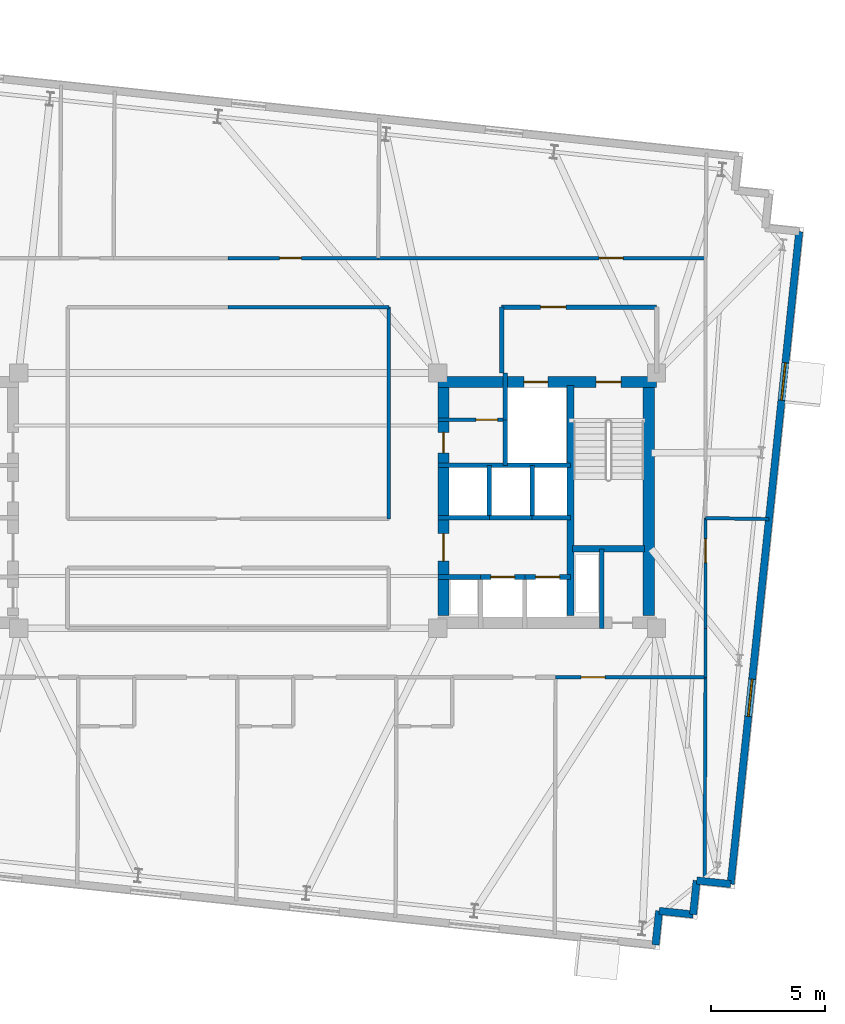
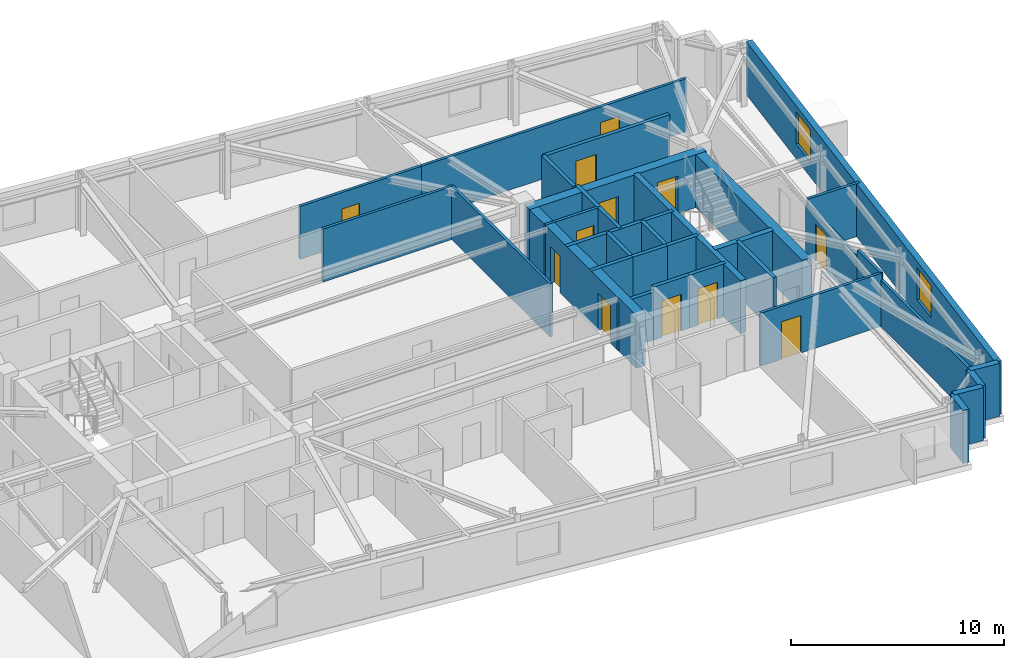
# One storey, part 8 of 11: 34 walls, 12 doors, 2 windows, 14 openings.
"""IFC4 building model written with IfcOpenShell, lengths in metres."""

from ifc_helpers import new_model, si_unit, direction, frame, frame_2d, origin, place, context, subcontext, project, spatial, rectangle, extrude, material, layer, layer_set, type_object, element, fill, save


model = new_model("IFC4")

# Units and contexts
model_context = context("Model", 3, precision=1e-05, world=origin(), true_north=direction((0.0, 1.0)))
body_context = subcontext(model_context, "Body", "Model", "MODEL_VIEW")
ifc_project = project(units=[si_unit("LENGTHUNIT", "METRE"), si_unit("AREAUNIT", "SQUARE_METRE"), si_unit("VOLUMEUNIT", "CUBIC_METRE"), si_unit("PLANEANGLEUNIT", "RADIAN"), si_unit("MASSUNIT", "GRAM", prefix="KILO")], contexts=[model_context])

# Site, building, storey
site_placement = place(None, origin())
site = spatial("IfcSite", under=ifc_project, at=site_placement, CompositionType="ELEMENT")
building_placement = place(site_placement, origin())
building = spatial("IfcBuilding", under=site, at=building_placement, Name="Qobustan Lattice House", CompositionType="ELEMENT")
storey_placement = place(building_placement, frame((0.0, 0.0, 213.14990234375)))
storey = spatial("IfcBuildingStorey", under=building, at=storey_placement, Name="L60", CompositionType="ELEMENT", Elevation=213.14990234375)

# Wall, openings, doors
ifc_material_1 = material(Name="Concrete C50/60", Category="concrete")
ifc_layer_1 = layer(ifc_material_1, 0.5)
ifc_layer_set_1 = layer_set([ifc_layer_1], Name="Concrete C50/60")
wall_type_1 = type_object("IfcWallType", Name="WAL-CORE-500", PredefinedType="SHEAR", material=ifc_layer_set_1)
wall_1_placement = place(storey_placement, frame((9.199951171875, 5.2099609375, 0.0), z_axis=(0.0, 0.0, 1.0), x_axis=(1.0, 0.0, 0.0)))
wall_1 = element("IfcWall", 1, at=wall_1_placement, inside=storey, type_object=wall_type_1, Name="L60 split-core shear wall CE-N", PredefinedType="SHEAR", context=body_context, shape_type="SweptSolid", body=[
    extrude(rectangle(XDim=9.60009765625, YDim=0.5, at=frame_2d((4.800048828125, 0.0))), origin(), (0.0, 0.0, 1.0), 3.0400390625),
])
opening_1_placement = place(wall_1_placement, frame((6.949951171875, 0.0, 0.0)))
opening_1 = element("IfcOpeningElement", 2, at=opening_1_placement, cuts=wall_1, Name="Opening SD-01", PredefinedType="OPENING", context=body_context, shape_type="SweptSolid", body=[
    extrude(rectangle(XDim=1.10009765625, YDim=2.14990234375, at=frame_2d((0.550048828125, 1.074951171875))), frame((0.0, 0.260009765625, 0.0), z_axis=(0.0, -1.0, 0.0), x_axis=(1.0, 0.0, 0.0)), (0.0, 0.0, 1.0), 0.52001953125),
])
opening_2_placement = place(wall_1_placement, frame((3.77490234375, 0.0, 0.0)))
opening_2 = element("IfcOpeningElement", 3, at=opening_2_placement, cuts=wall_1, Name="Opening LD-01", PredefinedType="OPENING", context=body_context, shape_type="SweptSolid", body=[
    extrude(rectangle(XDim=1.050048828125, YDim=2.10009765625, at=frame_2d((0.52490234375, 1.050048828125))), frame((0.0, 0.260009765625, 0.0), z_axis=(0.0, -1.0, 0.0), x_axis=(1.0, 0.0, 0.0)), (0.0, 0.0, 1.0), 0.52001953125),
])
ifc_material_2 = material(Name="Persian walnut timber and steel frame door", Category="steel")
door_type_1 = type_object("IfcDoorType", Name="DOR-LIFT-LD-1050x2100", OperationType="NOTDEFINED", PredefinedType="DOOR", material=ifc_material_2)
door_1_placement = place(opening_2_placement, origin())
door_1 = element("IfcDoor", 4, at=door_1_placement, inside=storey, type_object=door_type_1, Name="L60 firefighting lift FF-E landing door", OperationType="DOUBLE_DOOR_SLIDING", OverallHeight=2.10009765625, OverallWidth=1.050048828125, PredefinedType="DOOR", context=body_context, shape_type="SweptSolid", body=[
    extrude(rectangle(XDim=1.050048828125, YDim=2.10009765625, at=frame_2d((0.52490234375, 1.050048828125))), frame((0.0, 0.02490234375, 0.0), z_axis=(0.0, -1.0, 0.0), x_axis=(1.0, 0.0, 0.0)), (0.0, 0.0, 1.0), 0.050048828125),
])
fill(opening_2, door_1)
ifc_material_3 = material(Name="Persian walnut timber and steel frame door", Category="steel")
door_type_2 = type_object("IfcDoorType", Name="DOR-STAIR-FD-1100x2150", OperationType="NOTDEFINED", PredefinedType="DOOR", material=ifc_material_3)
door_2_placement = place(opening_1_placement, origin())
door_2 = element("IfcDoor", 5, at=door_2_placement, inside=storey, type_object=door_type_2, Name="L60 exit stair ST-E1 fire door", OperationType="SINGLE_SWING_LEFT", OverallHeight=2.14990234375, OverallWidth=1.10009765625, PredefinedType="DOOR", context=body_context, shape_type="SweptSolid", body=[
    extrude(rectangle(XDim=1.10009765625, YDim=2.14990234375, at=frame_2d((0.550048828125, 1.074951171875))), frame((0.0, 0.02490234375, 0.0), z_axis=(0.0, -1.0, 0.0), x_axis=(1.0, 0.0, 0.0)), (0.0, 0.0, 1.0), 0.050048828125),
])
fill(opening_1, door_2)

wall_2_placement = place(storey_placement, frame((9.449951171875, -5.050048828125, 0.0), z_axis=(0.0, 0.0, 1.0), x_axis=(0.0, 1.0, 0.0)))
wall_2 = element("IfcWall", 6, at=wall_2_placement, inside=storey, type_object=wall_type_1, Name="L60 split-core shear wall CE-W", PredefinedType="SHEAR", context=body_context, shape_type="SweptSolid", body=[
    extrude(rectangle(XDim=10.10009765625, YDim=0.5, at=frame_2d((5.050048828125, 0.0))), origin(), (0.0, 0.0, 1.0), 3.0400390625),
])
opening_3_placement = place(wall_2_placement, frame((7.14990234375, 0.0, 0.0)))
opening_3 = element("IfcOpeningElement", 7, at=opening_3_placement, cuts=wall_2, Name="Opening RD-01", PredefinedType="OPENING", context=body_context, shape_type="SweptSolid", body=[
    extrude(rectangle(XDim=0.89990234375, YDim=2.10009765625, at=frame_2d((0.449951171875, 1.050048828125))), frame((0.0, 0.260009765625, 0.0), z_axis=(0.0, -1.0, 0.0), x_axis=(1.0, 0.0, 0.0)), (0.0, 0.0, 1.0), 0.52001953125),
])
opening_4_placement = place(wall_2_placement, frame((2.39990234375, 0.0, 0.0)))
opening_4 = element("IfcOpeningElement", 8, at=opening_4_placement, cuts=wall_2, Name="Opening FD-01", PredefinedType="OPENING", context=body_context, shape_type="SweptSolid", body=[
    extrude(rectangle(XDim=1.199951171875, YDim=2.14990234375, at=frame_2d((0.60009765625, 1.074951171875))), frame((0.0, 0.260009765625, 0.0), z_axis=(0.0, -1.0, 0.0), x_axis=(1.0, 0.0, 0.0)), (0.0, 0.0, 1.0), 0.52001953125),
])
ifc_material_4 = material(Name="Persian walnut timber and steel frame door", Category="steel")
door_type_3 = type_object("IfcDoorType", Name="DOR-LOBBY-FD-1200x2150", OperationType="NOTDEFINED", PredefinedType="DOOR", material=ifc_material_4)
door_3_placement = place(opening_4_placement, origin())
door_3 = element("IfcDoor", 9, at=door_3_placement, inside=storey, type_object=door_type_3, Name="L60 East passenger lift lobby fire door", OperationType="SINGLE_SWING_LEFT", OverallHeight=2.14990234375, OverallWidth=1.199951171875, PredefinedType="DOOR", context=body_context, shape_type="SweptSolid", body=[
    extrude(rectangle(XDim=1.199951171875, YDim=2.14990234375, at=frame_2d((0.60009765625, 1.074951171875))), frame((0.0, 0.02490234375, 0.0), z_axis=(0.0, -1.0, 0.0), x_axis=(1.0, 0.0, 0.0)), (0.0, 0.0, 1.0), 0.050048828125),
])
fill(opening_4, door_3)
ifc_material_5 = material(Name="Persian walnut timber and steel frame door", Category="steel")
door_type_4 = type_object("IfcDoorType", Name="DOR-RISER-FD-900x2100", OperationType="NOTDEFINED", PredefinedType="DOOR", material=ifc_material_5)
door_4_placement = place(opening_3_placement, origin())
door_4 = element("IfcDoor", 10, at=door_4_placement, inside=storey, type_object=door_type_4, Name="L60 Housekeeping utility foyer fire door", OperationType="SINGLE_SWING_RIGHT", OverallHeight=2.10009765625, OverallWidth=0.89990234375, PredefinedType="DOOR", context=body_context, shape_type="SweptSolid", body=[
    extrude(rectangle(XDim=0.89990234375, YDim=2.10009765625, at=frame_2d((0.449951171875, 1.050048828125))), frame((0.0, 0.02490234375, 0.0), z_axis=(0.0, -1.0, 0.0), x_axis=(1.0, 0.0, 0.0)), (0.0, 0.0, 1.0), 0.050048828125),
])
fill(opening_3, door_4)

# Walls
wall_3_placement = place(storey_placement, frame((18.4599609375, -5.050048828125, 0.0), z_axis=(0.0, 0.0, 1.0), x_axis=(0.0, 1.0, 0.0)))
element("IfcWall", 11, at=wall_3_placement, inside=storey, type_object=wall_type_1, Name="L60 split-core shear wall CE-E", PredefinedType="SHEAR", context=body_context, shape_type="SweptSolid", body=[
    extrude(rectangle(XDim=10.10009765625, YDim=0.5, at=frame_2d((5.050048828125, 0.0))), origin(), (0.0, 0.0, 1.0), 3.0400390625),
])
ifc_material_6 = material(Name="Concrete C50/60", Category="concrete")
ifc_layer_2 = layer(ifc_material_6, 0.280029296875)
ifc_layer_set_2 = layer_set([ifc_layer_2], Name="Concrete C50/60")
wall_type_2 = type_object("IfcWallType", Name="WAL-CORE-SPINE-280", PredefinedType="SHEAR", material=ifc_layer_set_2)
wall_4_placement = place(storey_placement, frame((15.02001953125, -5.050048828125, 0.0), z_axis=(0.0, 0.0, 1.0), x_axis=(0.0, 1.0, 0.0)))
element("IfcWall", 12, at=wall_4_placement, inside=storey, type_object=wall_type_2, Name="L60 split-core shear wall CE-M", PredefinedType="SHEAR", context=body_context, shape_type="SweptSolid", body=[
    extrude(rectangle(XDim=10.10009765625, YDim=0.300048828125, at=frame_2d((5.050048828125, 0.0))), origin(), (0.0, 0.0, 1.0), 3.0400390625),
])
wall_5_placement = place(storey_placement, frame((15.10009765625, -2.110107421875, 0.0), z_axis=(0.0, 0.0, 1.0), x_axis=(1.0, 0.0, 0.0)))
element("IfcWall", 13, at=wall_5_placement, inside=storey, type_object=wall_type_2, Name="L60 split-core shear wall CE-ST", PredefinedType="SHEAR", context=body_context, shape_type="SweptSolid", body=[
    extrude(rectangle(XDim=3.179931640625, YDim=0.300048828125, at=frame_2d((1.58984375, 0.0))), origin(), (0.0, 0.0, 1.0), 3.0400390625),
])

# Wall, openings, windows
ifc_material_7 = material(Name="Precast concrete C40/50", Category="concrete")
ifc_layer_3 = layer(ifc_material_7, 0.320068359375)
ifc_layer_set_3 = layer_set([ifc_layer_3], Name="Precast concrete C40/50")
wall_type_3 = type_object("IfcWallType", Name="WAL-EXT-STONE-320", PredefinedType="SOLIDWALL", material=ifc_layer_set_3)
wall_6_placement = place(storey_placement, frame((25.063232421875, 11.813720703125, 0.0), z_axis=(0.0, 0.0, 1.0), x_axis=(-0.104523275986, -0.99452244056, 0.0)))
wall_6 = element("IfcWall", 14, at=wall_6_placement, inside=storey, type_object=wall_type_3, Name="L60 exterior limestone-clad wall 15", PredefinedType="SOLIDWALL", context=body_context, shape_type="SweptSolid", body=[
    extrude(rectangle(XDim=28.7998046875, YDim=0.320068359375, at=frame_2d((14.39990234375, 0.0))), origin(), (0.0, 0.0, 1.0), 3.0400390625),
])
opening_5_placement = place(wall_6_placement, frame((5.79345703125, 0.0, 0.85009765625)))
opening_5 = element("IfcOpeningElement", 15, at=opening_5_placement, cuts=wall_6, Name="Opening WN-09", PredefinedType="OPENING", context=body_context, shape_type="SweptSolid", body=[
    extrude(rectangle(XDim=1.64990234375, YDim=1.85009765625, at=frame_2d((0.824951171875, 0.925048828125))), frame((0.0, 0.169921875, 0.0), z_axis=(0.0, -1.0, 0.0), x_axis=(1.0, 0.0, 0.0)), (0.0, 0.0, 1.0), 0.340087890625),
])
opening_6_placement = place(wall_6_placement, frame((19.752197265625, 0.0, 0.85009765625)))
opening_6 = element("IfcOpeningElement", 16, at=opening_6_placement, cuts=wall_6, Name="Opening WN-09", PredefinedType="OPENING", context=body_context, shape_type="SweptSolid", body=[
    extrude(rectangle(XDim=1.64990234375, YDim=1.85009765625, at=frame_2d((0.824951171875, 0.925048828125))), frame((0.0, 0.169921875, 0.0), z_axis=(0.0, -1.0, 0.0), x_axis=(1.0, 0.0, 0.0)), (0.0, 0.0, 1.0), 0.340087890625),
])
ifc_material_8 = material(Name="Double-glazed low-E aluminium window", Category="aluminium")
window_type = type_object("IfcWindowType", Name="WIN-STU-1650x1850", PartitioningType="SINGLE_PANEL", PredefinedType="WINDOW", material=ifc_material_8)
window_1_placement = place(opening_5_placement, origin())
window_1 = element("IfcWindow", 17, at=window_1_placement, inside=storey, type_object=window_type, Name="L60 Collaborative tutorial room window", OverallHeight=1.85009765625, OverallWidth=1.64990234375, PartitioningType="SINGLE_PANEL", PredefinedType="WINDOW", context=body_context, shape_type="SweptSolid", body=[
    extrude(rectangle(XDim=1.64990234375, YDim=1.85009765625, at=frame_2d((0.824951171875, 0.925048828125))), frame((0.0, 0.030029296875, 0.0), z_axis=(0.0, -1.0, 0.0), x_axis=(1.0, 0.0, 0.0)), (0.0, 0.0, 1.0), 0.06005859375),
])
fill(opening_5, window_1)
window_2_placement = place(opening_6_placement, origin())
window_2 = element("IfcWindow", 18, at=window_2_placement, inside=storey, type_object=window_type, Name="L60 Fellows reading room window", OverallHeight=1.85009765625, OverallWidth=1.64990234375, PartitioningType="SINGLE_PANEL", PredefinedType="WINDOW", context=body_context, shape_type="SweptSolid", body=[
    extrude(rectangle(XDim=1.64990234375, YDim=1.85009765625, at=frame_2d((0.824951171875, 0.925048828125))), frame((0.0, 0.030029296875, 0.0), z_axis=(0.0, -1.0, 0.0), x_axis=(1.0, 0.0, 0.0)), (0.0, 0.0, 1.0), 0.06005859375),
])
fill(opening_6, window_2)

# Walls
wall_7_placement = place(storey_placement, frame((22.052978515625, -16.828369140625, 0.0), z_axis=(0.0, 0.0, 1.0), x_axis=(-0.994526834051, 0.104481464157, 0.0)))
element("IfcWall", 19, at=wall_7_placement, inside=storey, type_object=wall_type_3, Name="L60 exterior limestone-clad wall 16", PredefinedType="SOLIDWALL", context=body_context, shape_type="SweptSolid", body=[
    extrude(rectangle(XDim=1.500244140625, YDim=0.320068359375, at=frame_2d((0.75, 0.0))), origin(), (0.0, 0.0, 1.0), 3.0400390625),
])
for number, where, z_axis, x_axis, name in (
    (20, (20.56103515625, -16.671630859375, 0.0), (0.0, 0.0, 1.0), (-0.104498377516, -0.994525057048, 0.0), "L60 exterior limestone-clad wall 17"),
    (21, (20.404296875, -18.163330078125, 0.0), (0.0, 0.0, 1.0), (-0.994525057048, 0.104498377516, 0.0), "L60 exterior limestone-clad wall 18"),
    (22, (18.91259765625, -18.006591796875, 0.0), (0.0, 0.0, 1.0), (-0.104498377516, -0.994525057048, 0.0), "L60 exterior limestone-clad wall 19"),
):
    element("IfcWall", number, at=place(storey_placement, frame(where, z_axis=z_axis, x_axis=x_axis)), inside=storey, type_object=wall_type_3, Name=name, PredefinedType="SOLIDWALL", context=body_context, shape_type="SweptSolid", body=[
        extrude(rectangle(XDim=1.5, YDim=0.320068359375, at=frame_2d((0.75, 0.0))), origin(), (0.0, 0.0, 1.0), 3.0400390625),
    ])

# Wall, opening, door
ifc_material_9 = material(Name="Acoustic twin-stud gypsum partition", Category="gypsum")
ifc_layer_4 = layer(ifc_material_9, 0.14990234375)
ifc_layer_set_4 = layer_set([ifc_layer_4], Name="Acoustic twin-stud gypsum partition")
wall_type_4 = type_object("IfcWallType", Name="WAL-PART-150", PredefinedType="PARTITIONING", material=ifc_layer_set_4)
wall_8_placement = place(storey_placement, frame((12.14990234375, 3.550048828125, 0.0), z_axis=(0.0, 0.0, 1.0), x_axis=(-1.0, 0.0, 0.0)))
wall_8 = element("IfcWall", 23, at=wall_8_placement, inside=storey, type_object=wall_type_4, Name="L60 interior partition 21", PredefinedType="PARTITIONING", context=body_context, shape_type="SweptSolid", body=[
    extrude(rectangle(XDim=2.949951171875, YDim=0.14990234375, at=frame_2d((1.47509765625, 0.0))), origin(), (0.0, 0.0, 1.0), 3.0400390625),
])
opening_7_placement = place(wall_8_placement, frame((0.324951171875, 0.0, 0.0)))
opening_7 = element("IfcOpeningElement", 24, at=opening_7_placement, cuts=wall_8, Name="Opening ID-01", PredefinedType="OPENING", context=body_context, shape_type="SweptSolid", body=[
    extrude(rectangle(XDim=0.949951171875, YDim=2.10009765625, at=frame_2d((0.47509765625, 1.050048828125))), frame((0.0, 0.0849609375, 0.0), z_axis=(0.0, -1.0, 0.0), x_axis=(1.0, 0.0, 0.0)), (0.0, 0.0, 1.0), 0.169921875),
])
ifc_material_10 = material(Name="Persian walnut timber and steel frame door", Category="steel")
door_type_5 = type_object("IfcDoorType", Name="DOR-ROOM-950x2100", OperationType="NOTDEFINED", PredefinedType="DOOR", material=ifc_material_10)
door_5_placement = place(opening_7_placement, origin())
door_5 = element("IfcDoor", 25, at=door_5_placement, inside=storey, type_object=door_type_5, Name="L60 Housekeeping utility foyer to Cleaner cupboard door", OperationType="SINGLE_SWING_LEFT", OverallHeight=2.10009765625, OverallWidth=0.949951171875, PredefinedType="DOOR", context=body_context, shape_type="SweptSolid", body=[
    extrude(rectangle(XDim=0.949951171875, YDim=2.10009765625, at=frame_2d((0.47509765625, 1.050048828125))), frame((0.0, 0.02490234375, 0.0), z_axis=(0.0, -1.0, 0.0), x_axis=(1.0, 0.0, 0.0)), (0.0, 0.0, 1.0), 0.050048828125),
])
fill(opening_7, door_5)

wall_9_placement = place(storey_placement, frame((0.0, 10.64990234375, 0.0), z_axis=(0.0, 0.0, 1.0), x_axis=(1.0, 0.0, 0.0)))
wall_9 = element("IfcWall", 26, at=wall_9_placement, inside=storey, type_object=wall_type_4, Name="L60 interior partition 41", PredefinedType="PARTITIONING", context=body_context, shape_type="SweptSolid", body=[
    extrude(rectangle(XDim=6.5830078125, YDim=0.14990234375, at=frame_2d((3.29150390625, 0.0))), origin(), (0.0, 0.0, 1.0), 3.0400390625),
])
opening_8_placement = place(wall_9_placement, frame((2.25732421875, 0.0, 0.0)))
opening_8 = element("IfcOpeningElement", 27, at=opening_8_placement, cuts=wall_9, Name="Opening ID-01", PredefinedType="OPENING", context=body_context, shape_type="SweptSolid", body=[
    extrude(rectangle(XDim=0.949951171875, YDim=2.10009765625, at=frame_2d((0.47509765625, 1.050048828125))), frame((0.0, 0.0849609375, 0.0), z_axis=(0.0, -1.0, 0.0), x_axis=(1.0, 0.0, 0.0)), (0.0, 0.0, 1.0), 0.169921875),
])
door_6_placement = place(opening_8_placement, origin())
door_6 = element("IfcDoor", 28, at=door_6_placement, inside=storey, type_object=door_type_5, Name="L60 North-east floor corridor to Laundry utility room door", OperationType="SINGLE_SWING_RIGHT", OverallHeight=2.10009765625, OverallWidth=0.949951171875, PredefinedType="DOOR", context=body_context, shape_type="SweptSolid", body=[
    extrude(rectangle(XDim=0.949951171875, YDim=2.10009765625, at=frame_2d((0.47509765625, 1.050048828125))), frame((0.0, 0.02490234375, 0.0), z_axis=(0.0, -1.0, 0.0), x_axis=(1.0, 0.0, 0.0)), (0.0, 0.0, 1.0), 0.050048828125),
])
fill(opening_8, door_6)

wall_10_placement = place(storey_placement, frame((6.5830078125, 10.64990234375, 0.0), z_axis=(0.0, 0.0, 1.0), x_axis=(1.0, 0.0, 0.0)))
wall_10 = element("IfcWall", 29, at=wall_10_placement, inside=storey, type_object=wall_type_4, Name="L60 interior partition 42", PredefinedType="PARTITIONING", context=body_context, shape_type="SweptSolid", body=[
    extrude(rectangle(XDim=14.366943359375, YDim=0.14990234375, at=frame_2d((7.18359375, 0.0))), origin(), (0.0, 0.0, 1.0), 3.0400390625),
])
opening_9_placement = place(wall_10_placement, frame((9.69775390625, 0.0, 0.0)))
opening_9 = element("IfcOpeningElement", 30, at=opening_9_placement, cuts=wall_10, Name="Opening ID-02", PredefinedType="OPENING", context=body_context, shape_type="SweptSolid", body=[
    extrude(rectangle(XDim=1.050048828125, YDim=2.14990234375, at=frame_2d((0.52490234375, 1.074951171875))), frame((0.0, 0.0849609375, 0.0), z_axis=(0.0, -1.0, 0.0), x_axis=(1.0, 0.0, 0.0)), (0.0, 0.0, 1.0), 0.169921875),
])
ifc_material_11 = material(Name="Persian walnut timber and steel frame door", Category="steel")
door_type_6 = type_object("IfcDoorType", Name="DOR-STUDY-1050x2150", OperationType="NOTDEFINED", PredefinedType="DOOR", material=ifc_material_11)
door_7_placement = place(opening_9_placement, origin())
door_7 = element("IfcDoor", 31, at=door_7_placement, inside=storey, type_object=door_type_6, Name="L60 North-east floor corridor to Focus study room N3 door", OperationType="SINGLE_SWING_LEFT", OverallHeight=2.14990234375, OverallWidth=1.050048828125, PredefinedType="DOOR", context=body_context, shape_type="SweptSolid", body=[
    extrude(rectangle(XDim=1.050048828125, YDim=2.14990234375, at=frame_2d((0.52490234375, 1.074951171875))), frame((0.0, 0.02490234375, 0.0), z_axis=(0.0, -1.0, 0.0), x_axis=(1.0, 0.0, 0.0)), (0.0, 0.0, 1.0), 0.050048828125),
])
fill(opening_9, door_7)

# Walls
wall_11_placement = place(storey_placement, frame((7.050048828125, 8.5, 0.0), z_axis=(0.0, 0.0, 1.0), x_axis=(-1.0, 0.0, 0.0)))
element("IfcWall", 32, at=wall_11_placement, inside=storey, type_object=wall_type_4, Name="L60 interior partition 43", PredefinedType="PARTITIONING", context=body_context, shape_type="SweptSolid", body=[
    extrude(rectangle(XDim=7.050048828125, YDim=0.14990234375, at=frame_2d((3.52490234375, 0.0))), origin(), (0.0, 0.0, 1.0), 3.0400390625),
])
wall_12_placement = place(storey_placement, frame((20.949951171875, -5.60009765625, 0.0), z_axis=(0.0, 0.0, 1.0), x_axis=(0.0, -1.0, 0.0)))
element("IfcWall", 33, at=wall_12_placement, inside=storey, type_object=wall_type_4, Name="L60 interior partition 51", PredefinedType="PARTITIONING", context=body_context, shape_type="SweptSolid", body=[
    extrude(rectangle(XDim=2.14990234375, YDim=0.14990234375, at=frame_2d((1.074951171875, 0.0))), origin(), (0.0, 0.0, 1.0), 3.0400390625),
])

# Wall, opening, door
wall_13_placement = place(storey_placement, frame((20.949951171875, -7.75, 0.0), z_axis=(0.0, 0.0, 1.0), x_axis=(-1.0, 0.0, 0.0)))
wall_13 = element("IfcWall", 34, at=wall_13_placement, inside=storey, type_object=wall_type_4, Name="L60 interior partition 57", PredefinedType="PARTITIONING", context=body_context, shape_type="SweptSolid", body=[
    extrude(rectangle(XDim=6.5830078125, YDim=0.14990234375, at=frame_2d((3.29150390625, 0.0))), origin(), (0.0, 0.0, 1.0), 3.0400390625),
])
opening_10_placement = place(wall_13_placement, frame((4.406494140625, 0.0, 0.0)))
opening_10 = element("IfcOpeningElement", 35, at=opening_10_placement, cuts=wall_13, Name="Opening ID-02", PredefinedType="OPENING", context=body_context, shape_type="SweptSolid", body=[
    extrude(rectangle(XDim=1.050048828125, YDim=2.14990234375, at=frame_2d((0.52490234375, 1.074951171875))), frame((0.0, 0.0849609375, 0.0), z_axis=(0.0, -1.0, 0.0), x_axis=(1.0, 0.0, 0.0)), (0.0, 0.0, 1.0), 0.169921875),
])
door_8_placement = place(opening_10_placement, origin())
door_8 = element("IfcDoor", 36, at=door_8_placement, inside=storey, type_object=door_type_6, Name="L60 South-east floor corridor to Group study room door", OperationType="SINGLE_SWING_RIGHT", OverallHeight=2.14990234375, OverallWidth=1.050048828125, PredefinedType="DOOR", context=body_context, shape_type="SweptSolid", body=[
    extrude(rectangle(XDim=1.050048828125, YDim=2.14990234375, at=frame_2d((0.52490234375, 1.074951171875))), frame((0.0, 0.02490234375, 0.0), z_axis=(0.0, -1.0, 0.0), x_axis=(1.0, 0.0, 0.0)), (0.0, 0.0, 1.0), 0.050048828125),
])
fill(opening_10, door_8)

wall_14_placement = place(storey_placement, frame((20.949951171875, -0.76318359375, 0.0), z_axis=(0.0, 0.0, 1.0), x_axis=(0.0, -1.0, 0.0)))
wall_14 = element("IfcWall", 37, at=wall_14_placement, inside=storey, type_object=wall_type_4, Name="L60 interior partition 63", PredefinedType="PARTITIONING", context=body_context, shape_type="SweptSolid", body=[
    extrude(rectangle(XDim=4.8369140625, YDim=0.14990234375, at=frame_2d((2.41845703125, 0.0))), origin(), (0.0, 0.0, 1.0), 2.695068359375),
])
opening_11_placement = place(wall_14_placement, frame((0.908203125, 0.0, 0.0)))
opening_11 = element("IfcOpeningElement", 38, at=opening_11_placement, cuts=wall_14, Name="Opening ID-02", PredefinedType="OPENING", context=body_context, shape_type="SweptSolid", body=[
    extrude(rectangle(XDim=1.050048828125, YDim=2.14990234375, at=frame_2d((0.52490234375, 1.074951171875))), frame((0.0, 0.0849609375, 0.0), z_axis=(0.0, -1.0, 0.0), x_axis=(1.0, 0.0, 0.0)), (0.0, 0.0, 1.0), 0.169921875),
])
door_9_placement = place(opening_11_placement, origin())
door_9 = element("IfcDoor", 39, at=door_9_placement, inside=storey, type_object=door_type_6, Name="L60 East wing spine gallery to Fellows reading room door", OperationType="SINGLE_SWING_RIGHT", OverallHeight=2.14990234375, OverallWidth=1.050048828125, PredefinedType="DOOR", context=body_context, shape_type="SweptSolid", body=[
    extrude(rectangle(XDim=1.050048828125, YDim=2.14990234375, at=frame_2d((0.52490234375, 1.074951171875))), frame((0.0, 0.02490234375, 0.0), z_axis=(0.0, -1.0, 0.0), x_axis=(1.0, 0.0, 0.0)), (0.0, 0.0, 1.0), 0.050048828125),
])
fill(opening_11, door_9)

# Walls
wall_15_placement = place(storey_placement, frame((7.050048828125, -0.800048828125, 0.0), z_axis=(0.0, 0.0, 1.0), x_axis=(0.0, 1.0, 0.0)))
element("IfcWall", 40, at=wall_15_placement, inside=storey, type_object=wall_type_4, Name="L60 interior partition 69", PredefinedType="PARTITIONING", context=body_context, shape_type="SweptSolid", body=[
    extrude(rectangle(XDim=9.300048828125, YDim=0.14990234375, at=frame_2d((4.64990234375, 0.0))), origin(), (0.0, 0.0, 1.0), 3.0400390625),
])
wall_16_placement = place(storey_placement, frame((20.949951171875, -0.76318359375, 0.0), z_axis=(0.0, 0.0, 1.0), x_axis=(0.999875696831, -0.015766765259, 0.0)))
element("IfcWall", 41, at=wall_16_placement, inside=storey, type_object=wall_type_4, Name="L60 interior partition 80", PredefinedType="PARTITIONING", context=body_context, shape_type="SweptSolid", body=[
    extrude(rectangle(XDim=2.787109375, YDim=0.14990234375, at=frame_2d((1.3935546875, 0.0))), origin(), (0.0, 0.0, 1.0), 3.0400390625),
])
wall_17_placement = place(storey_placement, frame((20.906005859375, -16.7080078125, 0.0), z_axis=(0.0, 0.0, 1.0), x_axis=(0.004905642486, 0.999987967264, 0.0)))
element("IfcWall", 42, at=wall_17_placement, inside=storey, type_object=wall_type_4, Name="L60 interior partition 81", PredefinedType="PARTITIONING", context=body_context, shape_type="SweptSolid", body=[
    extrude(rectangle(XDim=8.9580078125, YDim=0.14990234375, at=frame_2d((4.47900390625, 0.0))), origin(), (0.0, 0.0, 1.0), 2.6650390625),
])

# Wall, opening, door
ifc_material_12 = material(Name="Two-hour gypsum fireboard acoustic partition", Category="gypsum")
ifc_layer_5 = layer(ifc_material_12, 0.199951171875)
ifc_layer_set_5 = layer_set([ifc_layer_5], Name="Two-hour gypsum fireboard acoustic partition")
wall_type_5 = type_object("IfcWallType", Name="WAL-PROT-200", PredefinedType="PARTITIONING", material=ifc_layer_set_5)
wall_18_placement = place(storey_placement, frame((18.800048828125, 8.5, 0.0), z_axis=(0.0, 0.0, 1.0), x_axis=(-1.0, 0.0, 0.0)))
wall_18 = element("IfcWall", 43, at=wall_18_placement, inside=storey, type_object=wall_type_5, Name="L60 interior partition 18", PredefinedType="PARTITIONING", context=body_context, shape_type="SweptSolid", body=[
    extrude(rectangle(XDim=6.800048828125, YDim=0.199951171875, at=frame_2d((3.39990234375, 0.0))), origin(), (0.0, 0.0, 1.0), 3.0400390625),
])
opening_12_placement = place(wall_18_placement, frame((3.985107421875, 0.0, 0.0)))
opening_12 = element("IfcOpeningElement", 44, at=opening_12_placement, cuts=wall_18, Name="Opening SD-01", PredefinedType="OPENING", context=body_context, shape_type="SweptSolid", body=[
    extrude(rectangle(XDim=1.10009765625, YDim=2.14990234375, at=frame_2d((0.550048828125, 1.074951171875))), frame((0.0, 0.10986328125, 0.0), z_axis=(0.0, -1.0, 0.0), x_axis=(1.0, 0.0, 0.0)), (0.0, 0.0, 1.0), 0.219970703125),
])
door_10_placement = place(opening_12_placement, origin())
door_10 = element("IfcDoor", 45, at=door_10_placement, inside=storey, type_object=door_type_2, Name="L60 East firefighting lift lobby to North-east floor corridor door", OperationType="SINGLE_SWING_RIGHT", OverallHeight=2.14990234375, OverallWidth=1.10009765625, PredefinedType="DOOR", context=body_context, shape_type="SweptSolid", body=[
    extrude(rectangle(XDim=1.10009765625, YDim=2.14990234375, at=frame_2d((0.550048828125, 1.074951171875))), frame((0.0, 0.02490234375, 0.0), z_axis=(0.0, -1.0, 0.0), x_axis=(1.0, 0.0, 0.0)), (0.0, 0.0, 1.0), 0.050048828125),
])
fill(opening_12, door_10)

# Walls
wall_19_placement = place(storey_placement, frame((12.0, 8.5, 0.0), z_axis=(0.0, 0.0, 1.0), x_axis=(0.0, -1.0, 0.0)))
element("IfcWall", 46, at=wall_19_placement, inside=storey, type_object=wall_type_5, Name="L60 interior partition 20", PredefinedType="PARTITIONING", context=body_context, shape_type="SweptSolid", body=[
    extrude(rectangle(XDim=2.89990234375, YDim=0.199951171875, at=frame_2d((1.449951171875, 0.0))), origin(), (0.0, 0.0, 1.0), 3.0400390625),
])
ifc_material_13 = material(Name="Concrete C40/50", Category="concrete")
ifc_layer_6 = layer(ifc_material_13, 0.199951171875)
ifc_layer_set_6 = layer_set([ifc_layer_6], Name="Concrete C40/50")
wall_type_6 = type_object("IfcWallType", Name="WAL-SHAFT-200", PredefinedType="PARTITIONING", material=ifc_layer_set_6)
wall_20_placement = place(storey_placement, frame((16.39990234375, -2.110107421875, 0.0), z_axis=(0.0, 0.0, 1.0), x_axis=(0.0, -1.0, 0.0)))
element("IfcWall", 47, at=wall_20_placement, inside=storey, type_object=wall_type_6, Name="L60 interior partition 15", PredefinedType="PARTITIONING", context=body_context, shape_type="SweptSolid", body=[
    extrude(rectangle(XDim=3.489990234375, YDim=0.199951171875, at=frame_2d((1.7451171875, 0.0))), origin(), (0.0, 0.0, 1.0), 3.0400390625),
])
wall_21_placement = place(storey_placement, frame((12.14990234375, 3.550048828125, 0.0), z_axis=(0.0, 0.0, 1.0), x_axis=(0.0, -1.0, 0.0)))
element("IfcWall", 48, at=wall_21_placement, inside=storey, type_object=wall_type_6, Name="L60 interior partition 16", PredefinedType="PARTITIONING", context=body_context, shape_type="SweptSolid", body=[
    extrude(rectangle(XDim=2.0, YDim=0.199951171875, at=frame_2d((1.0, 0.0))), origin(), (0.0, 0.0, 1.0), 3.0400390625),
])
wall_22_placement = place(storey_placement, frame((12.14990234375, 5.60009765625, 0.0), z_axis=(0.0, 0.0, 1.0), x_axis=(0.0, -1.0, 0.0)))
element("IfcWall", 49, at=wall_22_placement, inside=storey, type_object=wall_type_6, Name="L60 interior partition 17", PredefinedType="PARTITIONING", context=body_context, shape_type="SweptSolid", body=[
    extrude(rectangle(XDim=2.050048828125, YDim=0.199951171875, at=frame_2d((1.02490234375, 0.0))), origin(), (0.0, 0.0, 1.0), 3.0400390625),
])
wall_23_placement = place(storey_placement, frame((9.199951171875, -3.35009765625, 0.0), z_axis=(0.0, 0.0, 1.0), x_axis=(1.0, 0.0, 0.0)))
element("IfcWall", 50, at=wall_23_placement, inside=storey, type_object=wall_type_6, Name="L60 interior partition 23", PredefinedType="PARTITIONING", context=body_context, shape_type="SweptSolid", body=[
    extrude(rectangle(XDim=1.880126953125, YDim=0.199951171875, at=frame_2d((0.93994140625, 0.0))), origin(), (0.0, 0.0, 1.0), 2.755126953125),
])

# Wall, opening, door
wall_24_placement = place(storey_placement, frame((11.080078125, -3.35009765625, 0.0), z_axis=(0.0, 0.0, 1.0), x_axis=(1.0, 0.0, 0.0)))
wall_24 = element("IfcWall", 51, at=wall_24_placement, inside=storey, type_object=wall_type_6, Name="L60 interior partition 24", PredefinedType="PARTITIONING", context=body_context, shape_type="SweptSolid", body=[
    extrude(rectangle(XDim=1.93994140625, YDim=0.199951171875, at=frame_2d((0.969970703125, 0.0))), origin(), (0.0, 0.0, 1.0), 3.0400390625),
])
opening_13_placement = place(wall_24_placement, frame((0.445068359375, 0.0, 0.0)))
opening_13 = element("IfcOpeningElement", 52, at=opening_13_placement, cuts=wall_24, Name="Opening LD-01", PredefinedType="OPENING", context=body_context, shape_type="SweptSolid", body=[
    extrude(rectangle(XDim=1.050048828125, YDim=2.10009765625, at=frame_2d((0.52490234375, 1.050048828125))), frame((0.0, 0.10986328125, 0.0), z_axis=(0.0, -1.0, 0.0), x_axis=(1.0, 0.0, 0.0)), (0.0, 0.0, 1.0), 0.219970703125),
])
door_11_placement = place(opening_13_placement, origin())
door_11 = element("IfcDoor", 53, at=door_11_placement, inside=storey, type_object=door_type_1, Name="L60 lift landing door", OperationType="DOUBLE_DOOR_SLIDING", OverallHeight=2.10009765625, OverallWidth=1.050048828125, PredefinedType="DOOR", context=body_context, shape_type="SweptSolid", body=[
    extrude(rectangle(XDim=1.050048828125, YDim=2.10009765625, at=frame_2d((0.52490234375, 1.050048828125))), frame((0.0, 0.02490234375, 0.0), z_axis=(0.0, -1.0, 0.0), x_axis=(1.0, 0.0, 0.0)), (0.0, 0.0, 1.0), 0.050048828125),
])
fill(opening_13, door_11)

wall_25_placement = place(storey_placement, frame((13.02001953125, -3.35009765625, 0.0), z_axis=(0.0, 0.0, 1.0), x_axis=(1.0, 0.0, 0.0)))
wall_25 = element("IfcWall", 54, at=wall_25_placement, inside=storey, type_object=wall_type_6, Name="L60 interior partition 25", PredefinedType="PARTITIONING", context=body_context, shape_type="SweptSolid", body=[
    extrude(rectangle(XDim=2.0, YDim=0.199951171875, at=frame_2d((1.0, 0.0))), origin(), (0.0, 0.0, 1.0), 3.0400390625),
])
opening_14_placement = place(wall_25_placement, frame((0.47509765625, 0.0, 0.0)))
opening_14 = element("IfcOpeningElement", 55, at=opening_14_placement, cuts=wall_25, Name="Opening LD-01", PredefinedType="OPENING", context=body_context, shape_type="SweptSolid", body=[
    extrude(rectangle(XDim=1.050048828125, YDim=2.10009765625, at=frame_2d((0.52490234375, 1.050048828125))), frame((0.0, 0.10986328125, 0.0), z_axis=(0.0, -1.0, 0.0), x_axis=(1.0, 0.0, 0.0)), (0.0, 0.0, 1.0), 0.219970703125),
])
door_12_placement = place(opening_14_placement, origin())
door_12 = element("IfcDoor", 56, at=door_12_placement, inside=storey, type_object=door_type_1, Name="L60 lift landing door", OperationType="DOUBLE_DOOR_SLIDING", OverallHeight=2.10009765625, OverallWidth=1.050048828125, PredefinedType="DOOR", context=body_context, shape_type="SweptSolid", body=[
    extrude(rectangle(XDim=1.050048828125, YDim=2.10009765625, at=frame_2d((0.52490234375, 1.050048828125))), frame((0.0, 0.02490234375, 0.0), z_axis=(0.0, -1.0, 0.0), x_axis=(1.0, 0.0, 0.0)), (0.0, 0.0, 1.0), 0.050048828125),
])
fill(opening_14, door_12)

# Walls
wall_26_placement = place(storey_placement, frame((11.4599609375, -0.75, 0.0), z_axis=(0.0, 0.0, 1.0), x_axis=(-1.0, 0.0, 0.0)))
element("IfcWall", 57, at=wall_26_placement, inside=storey, type_object=wall_type_6, Name="L60 interior partition 26", PredefinedType="PARTITIONING", context=body_context, shape_type="SweptSolid", body=[
    extrude(rectangle(XDim=2.260009765625, YDim=0.199951171875, at=frame_2d((1.1298828125, 0.0))), origin(), (0.0, 0.0, 1.0), 3.0400390625),
])
wall_27_placement = place(storey_placement, frame((13.340087890625, -0.75, 0.0), z_axis=(0.0, 0.0, 1.0), x_axis=(-1.0, 0.0, 0.0)))
element("IfcWall", 58, at=wall_27_placement, inside=storey, type_object=wall_type_6, Name="L60 interior partition 27", PredefinedType="PARTITIONING", context=body_context, shape_type="SweptSolid", body=[
    extrude(rectangle(XDim=1.880126953125, YDim=0.199951171875, at=frame_2d((0.93994140625, 0.0))), origin(), (0.0, 0.0, 1.0), 3.0400390625),
])
wall_28_placement = place(storey_placement, frame((15.02001953125, -0.75, 0.0), z_axis=(0.0, 0.0, 1.0), x_axis=(-1.0, 0.0, 0.0)))
element("IfcWall", 59, at=wall_28_placement, inside=storey, type_object=wall_type_6, Name="L60 interior partition 28", PredefinedType="PARTITIONING", context=body_context, shape_type="SweptSolid", body=[
    extrude(rectangle(XDim=1.679931640625, YDim=0.199951171875, at=frame_2d((0.83984375, 0.0))), origin(), (0.0, 0.0, 1.0), 3.0400390625),
])
for number, where, z_axis, x_axis, name in (
    (60, (11.4599609375, -0.75, 0.0), (0.0, 0.0, 1.0), (0.0, 1.0, 0.0), "L60 interior partition 32"),
    (61, (13.340087890625, -0.75, 0.0), (0.0, 0.0, 1.0), (0.0, 1.0, 0.0), "L60 interior partition 33"),
):
    element("IfcWall", number, at=place(storey_placement, frame(where, z_axis=z_axis, x_axis=x_axis)), inside=storey, type_object=wall_type_6, Name=name, PredefinedType="PARTITIONING", context=body_context, shape_type="SweptSolid", body=[
        extrude(rectangle(XDim=2.300048828125, YDim=0.199951171875, at=frame_2d((1.14990234375, 0.0))), origin(), (0.0, 0.0, 1.0), 3.0400390625),
    ])
wall_29_placement = place(storey_placement, frame((9.199951171875, 1.550048828125, 0.0), z_axis=(0.0, 0.0, 1.0), x_axis=(1.0, 0.0, 0.0)))
element("IfcWall", 62, at=wall_29_placement, inside=storey, type_object=wall_type_6, Name="L60 interior partition 105", PredefinedType="PARTITIONING", context=body_context, shape_type="SweptSolid", body=[
    extrude(rectangle(XDim=5.820068359375, YDim=0.199951171875, at=frame_2d((2.91015625, 0.0))), origin(), (0.0, 0.0, 1.0), 3.0400390625),
])

save(model, "model.ifc")
